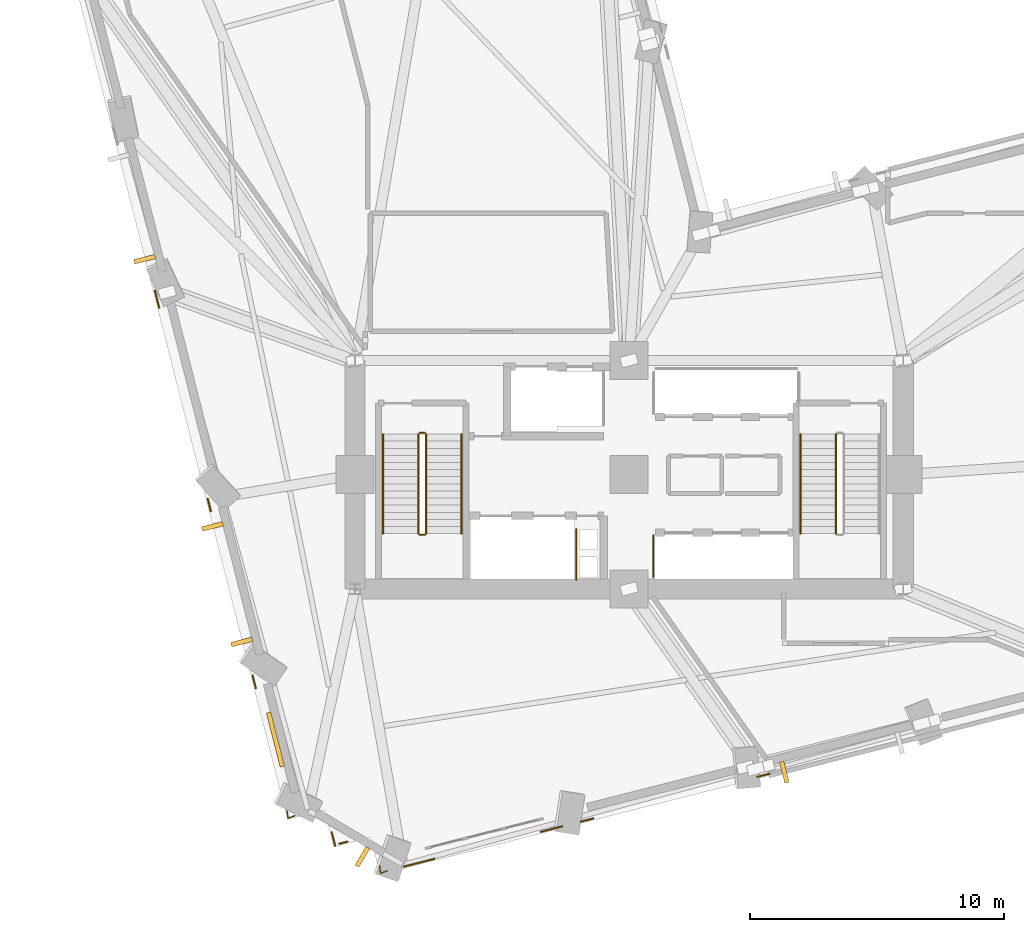
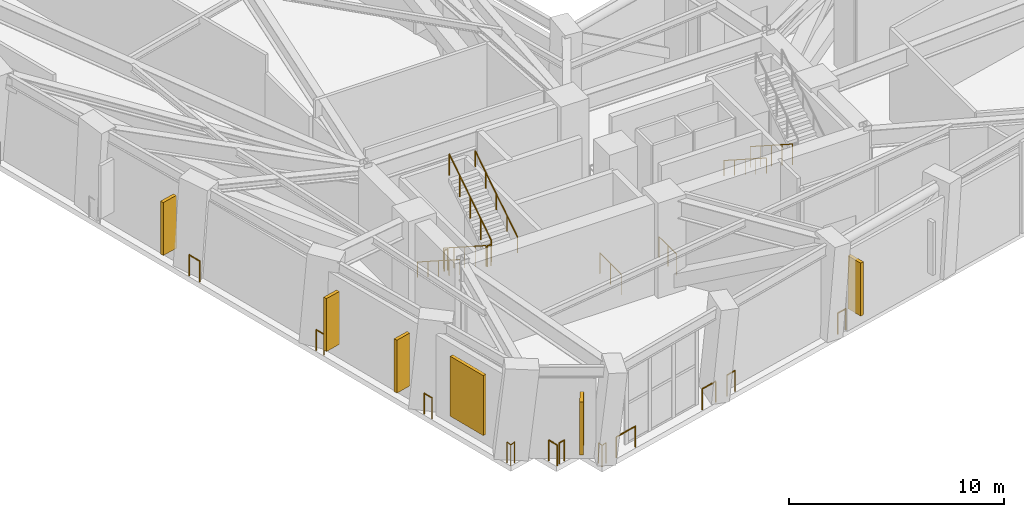
# One storey, part 13 of 17: 21 railings, 6 shading devices.
"""IFC4 building model written with IfcOpenShell, lengths in metres."""

from ifc_helpers import new_model, si_unit, direction, frame, origin, origin_2d, place, context, subcontext, project, spatial, rectangle, circle, extrude, material, layer, layer_set, type_object, element, save


model = new_model("IFC4")

# Units and contexts
model_context = context("Model", 3, precision=1e-05, world=origin(), true_north=direction((0.0, 1.0)))
body_context = subcontext(model_context, "Body", "Model", "MODEL_VIEW")
ifc_project = project(units=[si_unit("LENGTHUNIT", "METRE"), si_unit("AREAUNIT", "SQUARE_METRE"), si_unit("VOLUMEUNIT", "CUBIC_METRE"), si_unit("PLANEANGLEUNIT", "RADIAN"), si_unit("MASSUNIT", "GRAM", prefix="KILO")], contexts=[model_context])

# Site, building, storey
site_placement = place(None, origin())
site = spatial("IfcSite", under=ifc_project, at=site_placement, CompositionType="ELEMENT")
building_placement = place(site_placement, origin())
building = spatial("IfcBuilding", under=site, at=building_placement, Name="Gaonmaruhae Medical Tower", CompositionType="ELEMENT")
storey_placement = place(building_placement, frame((0.0, 0.0, 83.0)))
storey = spatial("IfcBuildingStorey", under=building, at=storey_placement, Name="L19", CompositionType="ELEMENT", Elevation=83.0)

# Railings
ifc_material_1 = material(Name="Stainless steel 316L and laminated safety glass", Category="steel")
ifc_layer = layer(ifc_material_1, 0.080078125)
ifc_layer_set = layer_set([ifc_layer], Name="Stainless steel 316L and laminated safety glass")
railing_type_1 = type_object("IfcRailingType", Name="GD-120 Outdoor Terrace Safety Glass & Steel Balustrade", PredefinedType="BALUSTRADE", material=ifc_layer_set)
railing_1_placement = place(storey_placement, frame((15.930419921875, -3.13916015625, 0.0)))
element("IfcRailing", 1, at=railing_1_placement, inside=storey, type_object=railing_type_1, Name="L19 Perimeter Slab Edge Safety Balustrade 01", PredefinedType="BALUSTRADE", context=body_context, shape_type="SweptSolid", body=[
    extrude(circle(Radius=0.02392578125, at=origin_2d()), frame((0.0, 0.0, 1.17578125), z_axis=(0.969218057204, 0.246203894344, 0.0), x_axis=(-0.246203894344, 0.969218057204, 0.0)), (0.0, 0.0, 1.0), 1.236572265625),
    extrude(circle(Radius=0.02099609375, at=origin_2d()), origin(), (0.0, 0.0, 1.0), 1.15185546875),
    extrude(circle(Radius=0.02099609375, at=origin_2d()), frame((1.198486328125, 0.304443359375, 0.0)), (0.0, 0.0, 1.0), 1.15185546875),
])
railing_2_placement = place(storey_placement, frame((21.322265625, -1.769775390625, 0.0)))
element("IfcRailing", 2, at=railing_2_placement, inside=storey, type_object=railing_type_1, Name="L19 Perimeter Slab Edge Safety Balustrade 02", PredefinedType="BALUSTRADE", context=body_context, shape_type="SweptSolid", body=[
    extrude(circle(Radius=0.02392578125, at=origin_2d()), frame((0.0, 0.0, 1.17578125), z_axis=(0.96923603512, 0.246133110784, 0.0), x_axis=(-0.246133110784, 0.96923603512, 0.0)), (0.0, 0.0, 1.0), 0.8779296875),
    extrude(circle(Radius=0.02099609375, at=origin_2d()), origin(), (0.0, 0.0, 1.0), 1.15185546875),
    extrude(circle(Radius=0.02099609375, at=origin_2d()), frame((0.850830078125, 0.216064453125, 0.0)), (0.0, 0.0, 1.0), 1.15185546875),
])
railing_3_placement = place(storey_placement, frame((22.887451171875, -1.372314453125, 0.0)))
element("IfcRailing", 3, at=railing_3_placement, inside=storey, type_object=railing_type_1, Name="L19 Perimeter Slab Edge Safety Balustrade 03", PredefinedType="BALUSTRADE", context=body_context, shape_type="SweptSolid", body=[
    extrude(circle(Radius=0.02392578125, at=origin_2d()), frame((0.0, 0.0, 1.17578125), z_axis=(0.969138057066, 0.246518612574, 0.0), x_axis=(-0.246518612574, 0.969138057066, 0.0)), (0.0, 0.0, 1.0), 0.51904296875),
    extrude(circle(Radius=0.02099609375, at=origin_2d()), origin(), (0.0, 0.0, 1.0), 1.15185546875),
    extrude(circle(Radius=0.02099609375, at=origin_2d()), frame((0.5029296875, 0.1279296875, 0.0)), (0.0, 0.0, 1.0), 1.15185546875),
])
railing_4_placement = place(storey_placement, frame((29.8447265625, 0.394775390625, 0.0)))
element("IfcRailing", 4, at=railing_4_placement, inside=storey, type_object=railing_type_1, Name="L19 Perimeter Slab Edge Safety Balustrade 04", PredefinedType="BALUSTRADE", context=body_context, shape_type="SweptSolid", body=[
    extrude(circle(Radius=0.02392578125, at=origin_2d()), frame((0.0, 0.0, 1.17578125), z_axis=(0.969250366097, 0.246076670616, 0.0), x_axis=(-0.246076670616, 0.969250366097, 0.0)), (0.0, 0.0, 1.0), 0.518798828125),
    extrude(circle(Radius=0.02099609375, at=origin_2d()), origin(), (0.0, 0.0, 1.0), 1.15185546875),
    extrude(circle(Radius=0.02099609375, at=origin_2d()), frame((0.5029296875, 0.127685546875, 0.0)), (0.0, 0.0, 1.0), 1.15185546875),
])
railing_5_placement = place(storey_placement, frame((6.115966796875, 19.55322265625, 0.0)))
element("IfcRailing", 5, at=railing_5_placement, inside=storey, type_object=railing_type_1, Name="L19 Perimeter Slab Edge Safety Balustrade 28", PredefinedType="BALUSTRADE", context=body_context, shape_type="SweptSolid", body=[
    extrude(circle(Radius=0.02392578125, at=origin_2d()), frame((0.0, 0.0, 1.17578125), z_axis=(0.246065369402, -0.969253235218, 0.0), x_axis=(0.969253235218, 0.246065369402, 0.0)), (0.0, 0.0, 1.0), 0.699462890625),
    extrude(circle(Radius=0.02099609375, at=origin_2d()), origin(), (0.0, 0.0, 1.0), 1.15185546875),
    extrude(circle(Radius=0.02099609375, at=origin_2d()), frame((0.172119140625, -0.677978515625, 0.0)), (0.0, 0.0, 1.0), 1.15185546875),
])
for number, where, name in (
    (6, (8.1962890625, 11.361083984375, 0.0), "L19 Perimeter Slab Edge Safety Balustrade 29"),
    (7, (9.967041015625, 4.38916015625, 0.0), "L19 Perimeter Slab Edge Safety Balustrade 30"),
):
    element("IfcRailing", number, at=place(storey_placement, frame(where)), inside=storey, type_object=railing_type_1, Name=name, PredefinedType="BALUSTRADE", context=body_context, shape_type="SweptSolid", body=[
        extrude(circle(Radius=0.02392578125, at=origin_2d()), frame((0.0, 0.0, 1.17578125), z_axis=(0.246181868017, -0.969223652136, 0.0), x_axis=(0.969223652136, 0.246181868017, 0.0)), (0.0, 0.0, 1.0), 0.519775390625),
        extrude(circle(Radius=0.02099609375, at=origin_2d()), origin(), (0.0, 0.0, 1.0), 1.15185546875),
        extrude(circle(Radius=0.02099609375, at=origin_2d()), frame((0.1279296875, -0.503662109375, 0.0)), (0.0, 0.0, 1.0), 1.15185546875),
    ])
railing_6_placement = place(storey_placement, frame((13.08349609375, -1.788330078125, 0.0)))
element("IfcRailing", 8, at=railing_6_placement, inside=storey, type_object=railing_type_1, Name="L19 Perimeter Slab Edge Safety Balustrade 31", PredefinedType="BALUSTRADE", context=body_context, shape_type="SweptSolid", body=[
    extrude(circle(Radius=0.02392578125, at=origin_2d()), frame((0.0, 0.0, 1.17578125), z_axis=(0.245919777096, -0.969290185256, 0.0), x_axis=(0.969290185256, 0.245919777096, 0.0)), (0.0, 0.0, 1.0), 0.559814453125),
    extrude(circle(Radius=0.02099609375, at=origin_2d()), origin(), (0.0, 0.0, 1.0), 1.15185546875),
    extrude(circle(Radius=0.02099609375, at=origin_2d()), frame((0.1376953125, -0.542724609375, 0.0)), (0.0, 0.0, 1.0), 1.15185546875),
])
railing_7_placement = place(storey_placement, frame((13.38671875, -2.237548828125, 0.0)))
element("IfcRailing", 9, at=railing_7_placement, inside=storey, type_object=railing_type_1, Name="L19 Perimeter Slab Edge Safety Balustrade 32", PredefinedType="BALUSTRADE", context=body_context, shape_type="SweptSolid", body=[
    extrude(circle(Radius=0.02392578125, at=origin_2d()), frame((0.0, 0.0, 1.17578125), z_axis=(0.969123150171, 0.246577208602, 0.0), x_axis=(-0.246577208602, 0.969123150171, 0.0)), (0.0, 0.0, 1.0), 0.32666015625),
    extrude(circle(Radius=0.02099609375, at=origin_2d()), origin(), (0.0, 0.0, 1.0), 1.15185546875),
    extrude(circle(Radius=0.02099609375, at=origin_2d()), frame((0.316650390625, 0.08056640625, 0.0)), (0.0, 0.0, 1.0), 1.15185546875),
])
railing_8_placement = place(storey_placement, frame((14.970703125, -3.125, 0.0)))
element("IfcRailing", 10, at=railing_8_placement, inside=storey, type_object=railing_type_1, Name="L19 Perimeter Corner Safety Balustrade 33", PredefinedType="BALUSTRADE", context=body_context, shape_type="SweptSolid", body=[
    extrude(circle(Radius=0.02392578125, at=origin_2d()), frame((0.0, 0.0, 1.17578125), z_axis=(0.125813183239, -0.992053951619, 0.0), x_axis=(0.992053951619, 0.125813183239, 0.0)), (0.0, 0.0, 1.0), 0.287109375),
    extrude(circle(Radius=0.02392578125, at=origin_2d()), frame((0.0361328125, -0.284912109375, 1.17578125), z_axis=(0.931781126737, 0.363020566712, 0.0), x_axis=(-0.363020566712, 0.931781126737, 0.0)), (0.0, 0.0, 1.0), 0.287109375),
    extrude(circle(Radius=0.02099609375, at=origin_2d()), origin(), (0.0, 0.0, 1.0), 1.15185546875),
    extrude(circle(Radius=0.02099609375, at=origin_2d()), frame((0.0361328125, -0.284912109375, 0.0)), (0.0, 0.0, 1.0), 1.15185546875),
    extrude(circle(Radius=0.02099609375, at=origin_2d()), frame((0.3037109375, -0.1806640625, 0.0)), (0.0, 0.0, 1.0), 1.15185546875),
])
railing_9_placement = place(storey_placement, frame((11.324462890625, -0.955810546875, 0.0)))
element("IfcRailing", 11, at=railing_9_placement, inside=storey, type_object=railing_type_1, Name="L19 Perimeter Corner Safety Balustrade 35", PredefinedType="BALUSTRADE", context=body_context, shape_type="SweptSolid", body=[
    extrude(circle(Radius=0.02392578125, at=origin_2d()), frame((0.0, 0.0, 1.17578125), z_axis=(0.125919374636, -0.992040478555, 0.0), x_axis=(0.992040478555, 0.125919374636, 0.0)), (0.0, 0.0, 1.0), 0.286865234375),
    extrude(circle(Radius=0.02392578125, at=origin_2d()), frame((0.0361328125, -0.28466796875, 1.17578125), z_axis=(0.932179980741, 0.361995142931, 0.0), x_axis=(-0.361995142931, 0.932179980741, 0.0)), (0.0, 0.0, 1.0), 0.287353515625),
    extrude(circle(Radius=0.02099609375, at=origin_2d()), origin(), (0.0, 0.0, 1.0), 1.15185546875),
    extrude(circle(Radius=0.02099609375, at=origin_2d()), frame((0.0361328125, -0.28466796875, 0.0)), (0.0, 0.0, 1.0), 1.15185546875),
    extrude(circle(Radius=0.02099609375, at=origin_2d()), frame((0.303955078125, -0.1806640625, 0.0)), (0.0, 0.0, 1.0), 1.15185546875),
])
ifc_material_2 = material(Name="Stainless steel 304 handrail", Category="steel")
railing_type_2 = type_object("IfcRailingType", Name="HR-092 Continuous Stainless Steel Stair Handrail", PredefinedType="HANDRAIL", material=ifc_material_2)
railing_10_placement = place(storey_placement, frame((15.10009765625, 13.89990234375, 0.179931640625)))
element("IfcRailing", 12, at=railing_10_placement, inside=storey, type_object=railing_type_2, Name="L19 ST-01 stair handrail 1", PredefinedType="HANDRAIL", context=body_context, shape_type="SweptSolid", body=[
    extrude(circle(Radius=0.02392578125, at=origin_2d()), frame((0.0, 0.0, 0.8759765625), z_axis=(0.0, -0.841171666519, 0.540768182723), x_axis=(1.0, 0.0, 0.0)), (0.0, 0.0, 1.0), 4.66015625),
    extrude(circle(Radius=0.02099609375, at=origin_2d()), origin(), (0.0, 0.0, 1.0), 0.851806640625),
    extrude(circle(Radius=0.02099609375, at=origin_2d()), frame((0.0, -0.97998046875, 0.6298828125)), (0.0, 0.0, 1.0), 0.851806640625),
    extrude(circle(Radius=0.02099609375, at=origin_2d()), frame((0.0, -1.9599609375, 1.260009765625)), (0.0, 0.0, 1.0), 0.851806640625),
    extrude(circle(Radius=0.02099609375, at=origin_2d()), frame((0.0, -2.93994140625, 1.89013671875)), (0.0, 0.0, 1.0), 0.851806640625),
    extrude(circle(Radius=0.02099609375, at=origin_2d()), frame((0.0, -3.919921875, 2.52001953125)), (0.0, 0.0, 1.0), 0.851806640625),
])
railing_11_placement = place(storey_placement, frame((18.199951171875, 9.97998046875, 2.8798828125)))
element("IfcRailing", 13, at=railing_11_placement, inside=storey, type_object=railing_type_2, Name="L19 ST-01 stair handrail 2", PredefinedType="HANDRAIL", context=body_context, shape_type="SweptSolid", body=[
    extrude(circle(Radius=0.02392578125, at=origin_2d()), frame((0.0, 0.0, 0.8759765625), z_axis=(0.0, 0.841171666519, 0.540768182723), x_axis=(-1.0, 0.0, 0.0)), (0.0, 0.0, 1.0), 4.66015625),
    extrude(circle(Radius=0.02099609375, at=origin_2d()), origin(), (0.0, 0.0, 1.0), 0.851806640625),
    extrude(circle(Radius=0.02099609375, at=origin_2d()), frame((0.0, 0.97998046875, 0.6298828125)), (0.0, 0.0, 1.0), 0.851806640625),
    extrude(circle(Radius=0.02099609375, at=origin_2d()), frame((0.0, 1.9599609375, 1.260009765625)), (0.0, 0.0, 1.0), 0.851806640625),
    extrude(circle(Radius=0.02099609375, at=origin_2d()), frame((0.0, 2.93994140625, 1.89013671875)), (0.0, 0.0, 1.0), 0.851806640625),
    extrude(circle(Radius=0.02099609375, at=origin_2d()), frame((0.0, 3.919921875, 2.52001953125)), (0.0, 0.0, 1.0), 0.851806640625),
])
railing_12_placement = place(storey_placement, frame((31.550048828125, 13.89990234375, 0.179931640625)))
element("IfcRailing", 14, at=railing_12_placement, inside=storey, type_object=railing_type_2, Name="L19 ST-02 stair handrail 1", PredefinedType="HANDRAIL", context=body_context, shape_type="SweptSolid", body=[
    extrude(circle(Radius=0.02392578125, at=origin_2d()), frame((0.0, 0.0, 0.8759765625), z_axis=(0.0, -0.841171666519, 0.540768182723), x_axis=(1.0, 0.0, 0.0)), (0.0, 0.0, 1.0), 4.66015625),
    extrude(circle(Radius=0.02099609375, at=origin_2d()), origin(), (0.0, 0.0, 1.0), 0.851806640625),
    extrude(circle(Radius=0.02099609375, at=origin_2d()), frame((0.0, -0.97998046875, 0.6298828125)), (0.0, 0.0, 1.0), 0.851806640625),
    extrude(circle(Radius=0.02099609375, at=origin_2d()), frame((0.0, -1.9599609375, 1.260009765625)), (0.0, 0.0, 1.0), 0.851806640625),
    extrude(circle(Radius=0.02099609375, at=origin_2d()), frame((0.0, -2.93994140625, 1.89013671875)), (0.0, 0.0, 1.0), 0.851806640625),
    extrude(circle(Radius=0.02099609375, at=origin_2d()), frame((0.0, -3.919921875, 2.52001953125)), (0.0, 0.0, 1.0), 0.851806640625),
])

# Shading devices
ifc_material_3 = material(Name="Pigmented coral precast concrete C45/55", Category="concrete")
shading_device_type_1 = type_object("IfcShadingDeviceType", Name="SD-FIN1 Tower Vertical Coral Precast Shading Fin", PredefinedType="USERDEFINED", material=ifc_material_3)
for number, where, z_axis, x_axis, name in (
    (15, (30.9169921875, 0.579345703125, 0.782470703125), (0.0, 0.0, 1.0), (-0.969230909707, -0.246153293029, 0.0), "L19 Vertical Coral Precast Shading Fin S03B"),
    (16, (5.71337890625, 20.792236328125, 0.782470703125), (0.0, 0.0, 1.0), (-0.246153293029, 0.969230909707, 0.0), "L19 Vertical Coral Precast Shading Fin W03"),
    (17, (9.54345703125, 5.71142578125, 0.782470703125), (0.0, 0.0, 1.0), (-0.246153293029, 0.969230909707, 0.0), "L19 Vertical Coral Precast Shading Fin W05"),
    (18, (8.38720703125, 10.263916015625, 0.782470703125), (0.0, 0.0, 1.0), (-0.246153293029, 0.969230909707, 0.0), "L19 Vertical Coral Precast Shading Fin W05B"),
    (19, (14.29296875, -2.75390625, 0.782470703125), (0.0, 0.0, 1.0), (-0.859415335118, 0.511278086528, 0.0), "L19 Vertical Coral Precast Shading Fin W07"),
):
    element("IfcShadingDevice", number, at=place(storey_placement, frame(where, z_axis=z_axis, x_axis=x_axis)), inside=storey, type_object=shading_device_type_1, Name=name, ObjectType="FIN", PredefinedType="USERDEFINED", context=body_context, shape_type="SweptSolid", body=[
        extrude(rectangle(XDim=0.179931640625, YDim=0.85009765625, at=origin_2d()), origin(), (0.0, 0.0, 1.0), 3.0),
    ])
ifc_material_4 = material(Name="Anodised aluminium louvre", Category="aluminium")
shading_device_type_2 = type_object("IfcShadingDeviceType", Name="SD-LVR2 Refuge Mechanical Acoustic Louvre", PredefinedType="USERDEFINED", material=ifc_material_4)
shading_device_placement = place(storey_placement, frame((10.86572265625, 1.866455078125, 0.58251953125), z_axis=(0.0, 0.0, 1.0), x_axis=(-0.246170209262, 0.969226613374, 0.0)))
element("IfcShadingDevice", 20, at=shading_device_placement, inside=storey, type_object=shading_device_type_2, Name="L19 Refuge Mechanical Louvre W06", ObjectType="LOUVRE", PredefinedType="USERDEFINED", context=body_context, shape_type="SweptSolid", body=[
    extrude(rectangle(XDim=2.199951171875, YDim=0.179931640625, at=origin_2d()), origin(), (0.0, 0.0, 1.0), 3.39990234375),
])

# Railings
ifc_material_5 = material(Name="Stainless steel 304 balustrade", Category="steel")
railing_type_3 = type_object("IfcRailingType", Name="SG-112 Stair Well & Ramp Void Safety Balustrade", PredefinedType="BALUSTRADE", material=ifc_material_5)
railing_13_placement = place(storey_placement, frame((16.5, 13.89990234375, 0.179931640625)))
element("IfcRailing", 21, at=railing_13_placement, inside=storey, type_object=railing_type_3, Name="L19 ST-01 stair guard 1", PredefinedType="BALUSTRADE", context=body_context, shape_type="SweptSolid", body=[
    extrude(circle(Radius=0.02392578125, at=origin_2d()), frame((0.0, 0.0, 1.17578125), z_axis=(0.0, -0.841171666519, 0.540768182723), x_axis=(1.0, 0.0, 0.0)), (0.0, 0.0, 1.0), 4.66015625),
    extrude(circle(Radius=0.02099609375, at=origin_2d()), origin(), (0.0, 0.0, 1.0), 1.15185546875),
    extrude(circle(Radius=0.02099609375, at=origin_2d()), frame((0.0, -0.97998046875, 0.6298828125)), (0.0, 0.0, 1.0), 1.15185546875),
    extrude(circle(Radius=0.02099609375, at=origin_2d()), frame((0.0, -1.9599609375, 1.260009765625)), (0.0, 0.0, 1.0), 1.15185546875),
    extrude(circle(Radius=0.02099609375, at=origin_2d()), frame((0.0, -2.93994140625, 1.89013671875)), (0.0, 0.0, 1.0), 1.15185546875),
    extrude(circle(Radius=0.02099609375, at=origin_2d()), frame((0.0, -3.919921875, 2.52001953125)), (0.0, 0.0, 1.0), 1.15185546875),
])
railing_14_placement = place(storey_placement, frame((16.550048828125, 9.929931640625, 2.699951171875)))
element("IfcRailing", 22, at=railing_14_placement, inside=storey, type_object=railing_type_3, Name="L19 ST-01 stair guard 2", PredefinedType="BALUSTRADE", context=body_context, shape_type="SweptSolid", body=[
    extrude(circle(Radius=0.02392578125, at=origin_2d()), frame((0.0, 0.0, 1.17578125), z_axis=(1.0, 0.0, 0.0), x_axis=(0.0, 1.0, 0.0)), (0.0, 0.0, 1.0), 0.199951171875),
    extrude(circle(Radius=0.02099609375, at=origin_2d()), origin(), (0.0, 0.0, 1.0), 1.15185546875),
    extrude(circle(Radius=0.02099609375, at=origin_2d()), frame((0.199951171875, 0.0, 0.0)), (0.0, 0.0, 1.0), 1.15185546875),
])
railing_15_placement = place(storey_placement, frame((16.800048828125, 9.97998046875, 2.8798828125)))
element("IfcRailing", 23, at=railing_15_placement, inside=storey, type_object=railing_type_3, Name="L19 ST-01 stair guard 3", PredefinedType="BALUSTRADE", context=body_context, shape_type="SweptSolid", body=[
    extrude(circle(Radius=0.02392578125, at=origin_2d()), frame((0.0, 0.0, 1.17578125), z_axis=(0.0, 0.841171666519, 0.540768182723), x_axis=(-1.0, 0.0, 0.0)), (0.0, 0.0, 1.0), 4.66015625),
    extrude(circle(Radius=0.02099609375, at=origin_2d()), origin(), (0.0, 0.0, 1.0), 1.15185546875),
    extrude(circle(Radius=0.02099609375, at=origin_2d()), frame((0.0, 0.97998046875, 0.6298828125)), (0.0, 0.0, 1.0), 1.15185546875),
    extrude(circle(Radius=0.02099609375, at=origin_2d()), frame((0.0, 1.9599609375, 1.260009765625)), (0.0, 0.0, 1.0), 1.15185546875),
    extrude(circle(Radius=0.02099609375, at=origin_2d()), frame((0.0, 2.93994140625, 1.89013671875)), (0.0, 0.0, 1.0), 1.15185546875),
    extrude(circle(Radius=0.02099609375, at=origin_2d()), frame((0.0, 3.919921875, 2.52001953125)), (0.0, 0.0, 1.0), 1.15185546875),
])
railing_16_placement = place(storey_placement, frame((16.550048828125, 13.949951171875, 0.0)))
element("IfcRailing", 24, at=railing_16_placement, inside=storey, type_object=railing_type_3, Name="L19 ST-01 stair guard 4", PredefinedType="BALUSTRADE", context=body_context, shape_type="SweptSolid", body=[
    extrude(circle(Radius=0.02392578125, at=origin_2d()), frame((0.0, 0.0, 1.17578125), z_axis=(1.0, 0.0, 0.0), x_axis=(0.0, 1.0, 0.0)), (0.0, 0.0, 1.0), 0.199951171875),
    extrude(circle(Radius=0.02099609375, at=origin_2d()), origin(), (0.0, 0.0, 1.0), 1.15185546875),
    extrude(circle(Radius=0.02099609375, at=origin_2d()), frame((0.199951171875, 0.0, 0.0)), (0.0, 0.0, 1.0), 1.15185546875),
])
railing_17_placement = place(storey_placement, frame((32.949951171875, 13.89990234375, 0.179931640625)))
element("IfcRailing", 25, at=railing_17_placement, inside=storey, type_object=railing_type_3, Name="L19 ST-02 stair guard 1", PredefinedType="BALUSTRADE", context=body_context, shape_type="SweptSolid", body=[
    extrude(circle(Radius=0.02392578125, at=origin_2d()), frame((0.0, 0.0, 1.17578125), z_axis=(0.0, -0.841171666519, 0.540768182723), x_axis=(1.0, 0.0, 0.0)), (0.0, 0.0, 1.0), 4.66015625),
    extrude(circle(Radius=0.02099609375, at=origin_2d()), origin(), (0.0, 0.0, 1.0), 1.15185546875),
    extrude(circle(Radius=0.02099609375, at=origin_2d()), frame((0.0, -0.97998046875, 0.6298828125)), (0.0, 0.0, 1.0), 1.15185546875),
    extrude(circle(Radius=0.02099609375, at=origin_2d()), frame((0.0, -1.9599609375, 1.260009765625)), (0.0, 0.0, 1.0), 1.15185546875),
    extrude(circle(Radius=0.02099609375, at=origin_2d()), frame((0.0, -2.93994140625, 1.89013671875)), (0.0, 0.0, 1.0), 1.15185546875),
    extrude(circle(Radius=0.02099609375, at=origin_2d()), frame((0.0, -3.919921875, 2.52001953125)), (0.0, 0.0, 1.0), 1.15185546875),
])
railing_18_placement = place(storey_placement, frame((25.7548828125, 8.27001953125, 0.0)))
element("IfcRailing", 26, at=railing_18_placement, inside=storey, type_object=railing_type_3, Name="L19 Shaft Edge Safety Guard 36", PredefinedType="BALUSTRADE", context=body_context, shape_type="SweptSolid", body=[
    extrude(circle(Radius=0.02392578125, at=origin_2d()), frame((0.0, 0.0, 1.17578125), z_axis=(0.0, 1.0, 0.0), x_axis=(-1.0, 0.0, 0.0)), (0.0, 0.0, 1.0), 1.635009765625),
    extrude(circle(Radius=0.02099609375, at=origin_2d()), origin(), (0.0, 0.0, 1.0), 1.15185546875),
    extrude(circle(Radius=0.02099609375, at=origin_2d()), frame((0.0, 0.8173828125, 0.0)), (0.0, 0.0, 1.0), 1.15185546875),
    extrude(circle(Radius=0.02099609375, at=origin_2d()), frame((0.0, 1.635009765625, 0.0)), (0.0, 0.0, 1.0), 1.15185546875),
])
railing_19_placement = place(storey_placement, frame((22.719970703125, 10.159912109375, 0.0)))
element("IfcRailing", 27, at=railing_19_placement, inside=storey, type_object=railing_type_3, Name="L19 Shaft Edge Safety Guard 37", PredefinedType="BALUSTRADE", context=body_context, shape_type="SweptSolid", body=[
    extrude(circle(Radius=0.02392578125, at=origin_2d()), frame((0.0, 0.0, 1.17578125), z_axis=(0.0, -1.0, 0.0), x_axis=(1.0, 0.0, 0.0)), (0.0, 0.0, 1.0), 1.994873046875),
    extrude(circle(Radius=0.02099609375, at=origin_2d()), origin(), (0.0, 0.0, 1.0), 1.15185546875),
    extrude(circle(Radius=0.02099609375, at=origin_2d()), frame((0.0, -0.99755859375, 0.0)), (0.0, 0.0, 1.0), 1.15185546875),
    extrude(circle(Radius=0.02099609375, at=origin_2d()), frame((0.0, -1.994873046875, 0.0)), (0.0, 0.0, 1.0), 1.15185546875),
])

save(model, "model.ifc")
